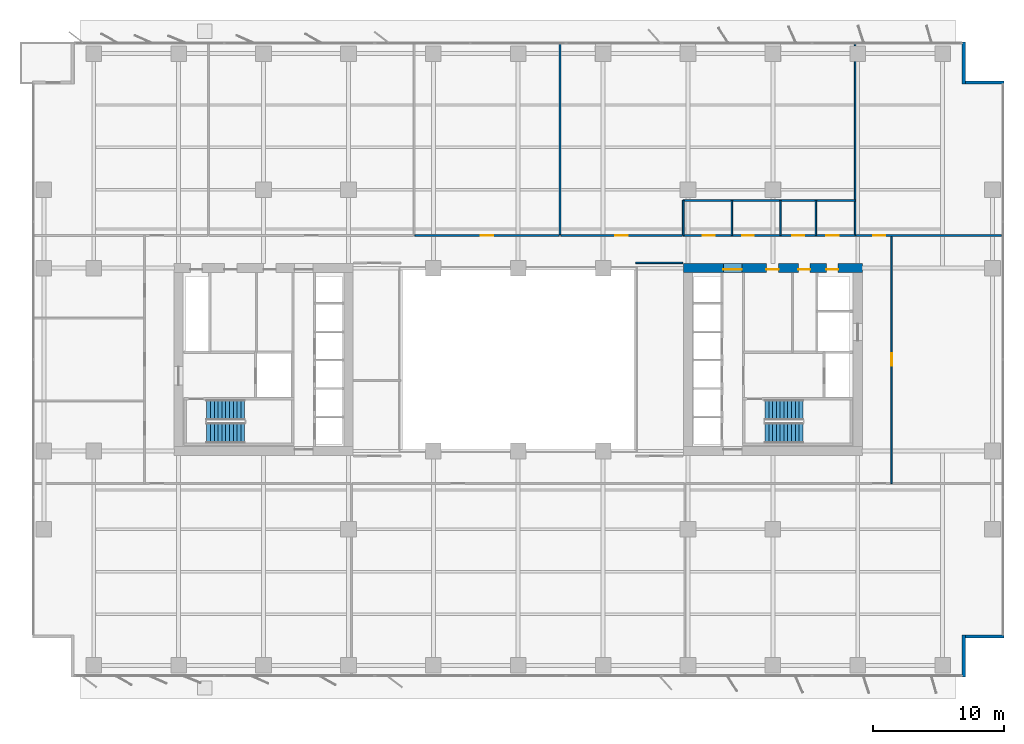
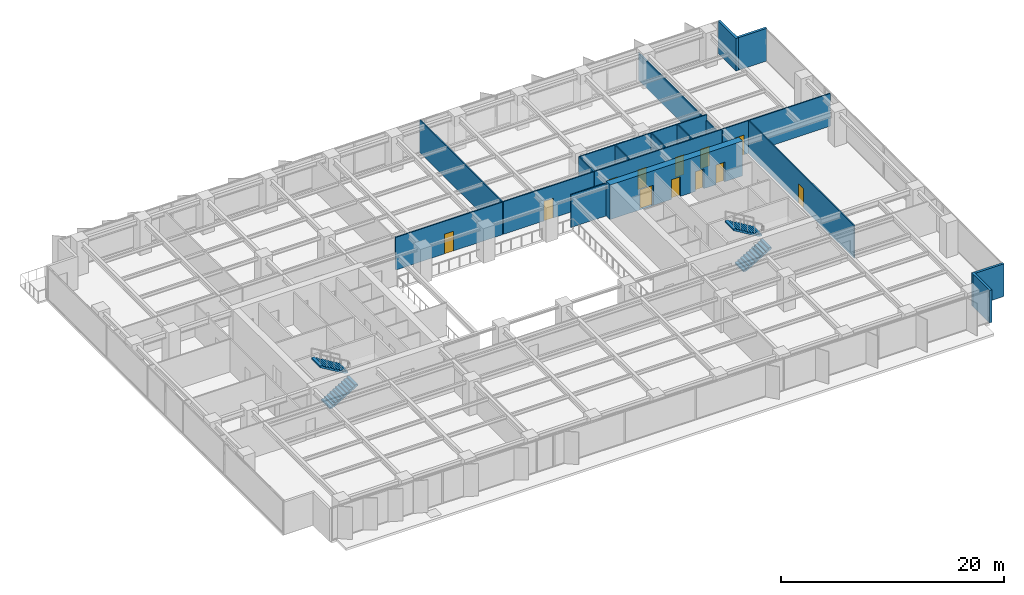
# One storey, part 15 of 19: 18 walls, 12 doors, 4 stair flights, 12 openings, 2 elements without a shape of their own.
"""IFC4 building model written with IfcOpenShell, lengths in metres."""

from ifc_helpers import new_model, si_unit, direction, frame, frame_2d, origin, place, context, subcontext, project, spatial, polyline, rectangle, outline, extrude, material, layer, layer_set, type_object, element, fill, aggregate, save


model = new_model("IFC4")

# Units and contexts
model_context = context("Model", 3, precision=1e-05, world=origin(), true_north=direction((0.0, 1.0)))
body_context = subcontext(model_context, "Body", "Model", "MODEL_VIEW")
ifc_project = project(units=[si_unit("LENGTHUNIT", "METRE"), si_unit("AREAUNIT", "SQUARE_METRE"), si_unit("VOLUMEUNIT", "CUBIC_METRE"), si_unit("PLANEANGLEUNIT", "RADIAN"), si_unit("MASSUNIT", "GRAM", prefix="KILO")], contexts=[model_context])

# Site, building, storey
site_placement = place(None, origin())
site = spatial("IfcSite", under=ifc_project, at=site_placement, CompositionType="ELEMENT")
building_placement = place(site_placement, origin())
building = spatial("IfcBuilding", under=site, at=building_placement, Name="Putna Gate Headquarters", CompositionType="ELEMENT")
storey_placement = place(building_placement, frame((0.0, 0.0, 86.0)))
storey = spatial("IfcBuildingStorey", under=building, at=storey_placement, Name="L20", CompositionType="ELEMENT", Elevation=86.0)

# Wall, openings, doors
ifc_material_1 = material(Name="Concrete C60/75", Category="concrete")
ifc_layer_1 = layer(ifc_material_1, 0.699951171875)
ifc_layer_set_1 = layer_set([ifc_layer_1], Name="Concrete C60/75")
wall_type_1 = type_object("IfcWallType", Name="WALL-CORE-700", PredefinedType="SHEAR", material=ifc_layer_set_1)
wall_1_placement = place(storey_placement, frame((51.64990234375, 33.0, 0.0), z_axis=(0.0, 0.0, 1.0), x_axis=(1.0, 0.0, 0.0)))
wall_1 = element("IfcWall", 1, at=wall_1_placement, inside=storey, type_object=wall_type_1, Name="L20 EC Split Core Shear Wall N", PredefinedType="SHEAR", context=body_context, shape_type="SweptSolid", body=[
    extrude(rectangle(XDim=13.7001953125, YDim=0.699951171875, at=frame_2d((6.85009765625, 0.0))), origin(), (0.0, 0.0, 1.0), 3.800048828125),
])
opening_1_placement = place(wall_1_placement, frame((3.070068359375, 0.0, 0.0)))
opening_1 = element("IfcOpeningElement", 2, at=opening_1_placement, cuts=wall_1, Name="Opening FDD-140", PredefinedType="OPENING", context=body_context, shape_type="SweptSolid", body=[
    extrude(rectangle(XDim=1.39990234375, YDim=2.199951171875, at=frame_2d((0.699951171875, 1.10009765625))), frame((0.0, 0.35986328125, 0.0), z_axis=(0.0, -1.0, 0.0), x_axis=(1.0, 0.0, 0.0)), (0.0, 0.0, 1.0), 0.719970703125),
])
opening_2_placement = place(wall_1_placement, frame((10.949951171875, 0.0, 0.0)))
opening_2 = element("IfcOpeningElement", 3, at=opening_2_placement, cuts=wall_1, Name="Opening RD-90", PredefinedType="OPENING", context=body_context, shape_type="SweptSolid", body=[
    extrude(rectangle(XDim=0.89990234375, YDim=2.14990234375, at=frame_2d((0.449951171875, 1.074951171875))), frame((0.0, 0.35986328125, 0.0), z_axis=(0.0, -1.0, 0.0), x_axis=(1.0, 0.0, 0.0)), (0.0, 0.0, 1.0), 0.719970703125),
])
opening_3_placement = place(wall_1_placement, frame((6.35009765625, 0.0, 0.0)))
opening_3 = element("IfcOpeningElement", 4, at=opening_3_placement, cuts=wall_1, Name="Opening IDS-95", PredefinedType="OPENING", context=body_context, shape_type="SweptSolid", body=[
    extrude(rectangle(XDim=0.949951171875, YDim=2.14990234375, at=frame_2d((0.47509765625, 1.074951171875))), frame((0.0, 0.35986328125, 0.0), z_axis=(0.0, -1.0, 0.0), x_axis=(1.0, 0.0, 0.0)), (0.0, 0.0, 1.0), 0.719970703125),
])
opening_4_placement = place(wall_1_placement, frame((8.800048828125, 0.0, 0.0)))
opening_4 = element("IfcOpeningElement", 5, at=opening_4_placement, cuts=wall_1, Name="Opening IDS-90", PredefinedType="OPENING", context=body_context, shape_type="SweptSolid", body=[
    extrude(rectangle(XDim=0.89990234375, YDim=2.14990234375, at=frame_2d((0.449951171875, 1.074951171875))), frame((0.0, 0.35986328125, 0.0), z_axis=(0.0, -1.0, 0.0), x_axis=(1.0, 0.0, 0.0)), (0.0, 0.0, 1.0), 0.719970703125),
])
ifc_material_2 = material(Name="Double steel fire door", Category="steel")
door_type_1 = type_object("IfcDoorType", Name="DOOR-FIRE-DBL-1400", OperationType="DOUBLE_DOOR_SINGLE_SWING", PredefinedType="DOOR", material=ifc_material_2)
door_1_placement = place(opening_1_placement, origin())
door_1 = element("IfcDoor", 6, at=door_1_placement, inside=storey, type_object=door_type_1, Name="L20 East Lift Lobby North Door", OperationType="DOUBLE_DOOR_SINGLE_SWING", OverallHeight=2.199951171875, OverallWidth=1.39990234375, PredefinedType="DOOR", context=body_context, shape_type="SweptSolid", body=[
    extrude(rectangle(XDim=1.39990234375, YDim=2.199951171875, at=frame_2d((0.699951171875, 1.10009765625))), frame((0.0, -0.0751953125, 0.0), z_axis=(0.0, -1.0, 0.0), x_axis=(1.0, 0.0, 0.0)), (0.0, 0.0, 1.0), 0.050048828125),
])
fill(opening_1, door_1)
ifc_material_3 = material(Name="Fire-rated utility door")
door_type_2 = type_object("IfcDoorType", Name="DOOR-INT-900", OperationType="NOTDEFINED", PredefinedType="DOOR", material=ifc_material_3)
door_2_placement = place(opening_4_placement, origin())
door_2 = element("IfcDoor", 7, at=door_2_placement, inside=storey, type_object=door_type_2, Name="L20 Electrical Plant Door", OperationType="SINGLE_SWING_LEFT", OverallHeight=2.14990234375, OverallWidth=0.89990234375, PredefinedType="DOOR", context=body_context, shape_type="SweptSolid", body=[
    extrude(rectangle(XDim=0.89990234375, YDim=2.14990234375, at=frame_2d((0.449951171875, 1.074951171875))), frame((0.0, -0.0751953125, 0.0), z_axis=(0.0, -1.0, 0.0), x_axis=(1.0, 0.0, 0.0)), (0.0, 0.0, 1.0), 0.050048828125),
])
fill(opening_4, door_2)
ifc_material_4 = material(Name="Fire-rated service timber door", Category="wood")
door_type_3 = type_object("IfcDoorType", Name="DOOR-INT-950", OperationType="NOTDEFINED", PredefinedType="DOOR", material=ifc_material_4)
door_3_placement = place(opening_3_placement, origin())
door_3 = element("IfcDoor", 8, at=door_3_placement, inside=storey, type_object=door_type_3, Name="L20 East Store Door", OperationType="SINGLE_SWING_RIGHT", OverallHeight=2.14990234375, OverallWidth=0.949951171875, PredefinedType="DOOR", context=body_context, shape_type="SweptSolid", body=[
    extrude(rectangle(XDim=0.949951171875, YDim=2.14990234375, at=frame_2d((0.47509765625, 1.074951171875))), frame((0.0, -0.0751953125, 0.0), z_axis=(0.0, -1.0, 0.0), x_axis=(1.0, 0.0, 0.0)), (0.0, 0.0, 1.0), 0.050048828125),
])
fill(opening_3, door_3)
ifc_material_5 = material(Name="Steel riser access fire door", Category="steel")
door_type_4 = type_object("IfcDoorType", Name="DOOR-RISER-900", OperationType="NOTDEFINED", PredefinedType="DOOR", material=ifc_material_5)
door_4_placement = place(opening_2_placement, origin())
door_4 = element("IfcDoor", 9, at=door_4_placement, inside=storey, type_object=door_type_4, Name="L20 East Riser Access Door", OperationType="SINGLE_SWING_LEFT", OverallHeight=2.14990234375, OverallWidth=0.89990234375, PredefinedType="DOOR", context=body_context, shape_type="SweptSolid", body=[
    extrude(rectangle(XDim=0.89990234375, YDim=2.14990234375, at=frame_2d((0.449951171875, 1.074951171875))), frame((0.0, -0.0751953125, 0.0), z_axis=(0.0, -1.0, 0.0), x_axis=(1.0, 0.0, 0.0)), (0.0, 0.0, 1.0), 0.050048828125),
])
fill(opening_2, door_4)

# Walls
ifc_material_6 = material(Name="Precast concrete C40/50", Category="concrete")
ifc_layer_2 = layer(ifc_material_6, 0.239990234375)
ifc_layer_set_2 = layer_set([ifc_layer_2], Name="Precast concrete C40/50")
wall_type_2 = type_object("IfcWallType", Name="WALL-EXT-TERR-240", PredefinedType="STANDARD", material=ifc_layer_set_2)
for number, where, z_axis, x_axis, name in (
    (10, (73.1201171875, 50.300048828125, 0.0), (0.0, 0.0, 1.0), (0.0, -1.0, 0.0), "L20 Corner Notch Return Wall NE-V"),
    (11, (73.0, 47.219970703125, 0.0), (0.0, 0.0, 1.0), (1.0, 0.0, 0.0), "L20 Corner Notch Return Wall NE-H"),
    (12, (73.1201171875, 4.89990234375, 0.0), (0.0, 0.0, 1.0), (0.0, -1.0, 0.0), "L20 Corner Notch Return Wall SE-V"),
    (13, (76.199951171875, 4.780029296875, 0.0), (0.0, 0.0, 1.0), (-1.0, 0.0, 0.0), "L20 Corner Notch Return Wall SE-H"),
):
    element("IfcWall", number, at=place(storey_placement, frame(where, z_axis=z_axis, x_axis=x_axis)), inside=storey, type_object=wall_type_2, Name=name, PredefinedType="STANDARD", context=body_context, shape_type="SweptSolid", body=[
        extrude(rectangle(XDim=3.199951171875, YDim=0.239990234375, at=frame_2d((1.60009765625, 0.0))), origin(), (0.0, 0.0, 1.0), 3.56494140625),
    ])
ifc_material_7 = material(Name="Acoustic gypsum board on metal stud")
ifc_layer_3 = layer(ifc_material_7, 0.1201171875)
ifc_layer_set_3 = layer_set([ifc_layer_3], Name="Acoustic gypsum board on metal stud")
wall_type_3 = type_object("IfcWallType", Name="WALL-PART-120", PredefinedType="PARTITIONING", material=ifc_layer_set_3)
wall_2_placement = place(storey_placement, frame((48.0, 33.39990234375, 0.0), z_axis=(0.0, 0.0, 1.0), x_axis=(1.0, 0.0, 0.0)))
element("IfcWall", 14, at=wall_2_placement, inside=storey, type_object=wall_type_3, Name="L20 Interior Wall PART-L20-ATR-E-N", PredefinedType="PARTITIONING", context=body_context, shape_type="SweptSolid", body=[
    extrude(rectangle(XDim=3.60009765625, YDim=0.1201171875, at=frame_2d((1.800048828125, 0.0))), origin(), (0.0, 0.0, 1.0), 3.56494140625),
])
wall_3_placement = place(storey_placement, frame((42.199951171875, 35.56005859375, 0.0), z_axis=(0.0, 0.0, 1.0), x_axis=(0.0, 1.0, 0.0)))
element("IfcWall", 15, at=wall_3_placement, inside=storey, type_object=wall_type_3, Name="L20 Interior Wall PART-L20-NB-DIV-03", PredefinedType="PARTITIONING", context=body_context, shape_type="SweptSolid", body=[
    extrude(rectangle(XDim=14.719970703125, YDim=0.1201171875, at=frame_2d((7.35986328125, 0.0))), origin(), (0.0, 0.0, 1.0), 3.56494140625),
])
wall_4_placement = place(storey_placement, frame((64.800048828125, 35.56005859375, 0.0), z_axis=(0.0, 0.0, 1.0), x_axis=(0.0, 1.0, 0.0)))
element("IfcWall", 16, at=wall_4_placement, inside=storey, type_object=wall_type_3, Name="L20 Interior Wall PART-L20-NB-DIV-04", PredefinedType="PARTITIONING", context=body_context, shape_type="SweptSolid", body=[
    extrude(rectangle(XDim=14.719970703125, YDim=0.1201171875, at=frame_2d((7.35986328125, 0.0))), origin(), (0.0, 0.0, 1.0), 2.965087890625),
])

# Wall, openings, doors
ifc_material_8 = material(Name="Fire-rated gypsum board on metal stud")
ifc_layer_4 = layer(ifc_material_8, 0.1201171875)
ifc_layer_set_4 = layer_set([ifc_layer_4], Name="Fire-rated gypsum board on metal stud")
wall_type_4 = type_object("IfcWallType", Name="WALL-PART-120-RATED", PredefinedType="PARTITIONING", material=ifc_layer_set_4)
wall_5_placement = place(storey_placement, frame((51.639892578125, 35.5, 0.0), z_axis=(0.0, 0.0, 1.0), x_axis=(1.0, 0.0, 0.0)))
wall_5 = element("IfcWall", 17, at=wall_5_placement, inside=storey, type_object=wall_type_4, Name="L20 Interior Wall PART-L20-SAN-CW", PredefinedType="PARTITIONING", context=body_context, shape_type="SweptSolid", body=[
    extrude(rectangle(XDim=13.16015625, YDim=0.1201171875, at=frame_2d((6.580078125, 0.0))), origin(), (0.0, 0.0, 1.0), 3.56494140625),
])
opening_5_placement = place(wall_5_placement, frame((1.510009765625, 0.0, 0.0)))
opening_5 = element("IfcOpeningElement", 18, at=opening_5_placement, cuts=wall_5, Name="Opening FD-90", PredefinedType="OPENING", context=body_context, shape_type="SweptSolid", body=[
    extrude(rectangle(XDim=0.89990234375, YDim=2.14990234375, at=frame_2d((0.449951171875, 1.074951171875))), frame((0.0, 0.070068359375, 0.0), z_axis=(0.0, -1.0, 0.0), x_axis=(1.0, 0.0, 0.0)), (0.0, 0.0, 1.0), 0.14013671875),
])
opening_6_placement = place(wall_5_placement, frame((4.510009765625, 0.0, 0.0)))
opening_6 = element("IfcOpeningElement", 19, at=opening_6_placement, cuts=wall_5, Name="Opening FD-90", PredefinedType="OPENING", context=body_context, shape_type="SweptSolid", body=[
    extrude(rectangle(XDim=0.89990234375, YDim=2.14990234375, at=frame_2d((0.449951171875, 1.074951171875))), frame((0.0, 0.070068359375, 0.0), z_axis=(0.0, -1.0, 0.0), x_axis=(1.0, 0.0, 0.0)), (0.0, 0.0, 1.0), 0.14013671875),
])
opening_7_placement = place(wall_5_placement, frame((8.360107421875, 0.0, 0.0)))
opening_7 = element("IfcOpeningElement", 20, at=opening_7_placement, cuts=wall_5, Name="Opening FD-90", PredefinedType="OPENING", context=body_context, shape_type="SweptSolid", body=[
    extrude(rectangle(XDim=0.89990234375, YDim=2.14990234375, at=frame_2d((0.449951171875, 1.074951171875))), frame((0.0, 0.070068359375, 0.0), z_axis=(0.0, -1.0, 0.0), x_axis=(1.0, 0.0, 0.0)), (0.0, 0.0, 1.0), 0.14013671875),
])
opening_8_placement = place(wall_5_placement, frame((10.9599609375, 0.0, 0.0)))
opening_8 = element("IfcOpeningElement", 21, at=opening_8_placement, cuts=wall_5, Name="Opening FD-95", PredefinedType="OPENING", context=body_context, shape_type="SweptSolid", body=[
    extrude(rectangle(XDim=0.949951171875, YDim=2.14990234375, at=frame_2d((0.47509765625, 1.074951171875))), frame((0.0, 0.070068359375, 0.0), z_axis=(0.0, -1.0, 0.0), x_axis=(1.0, 0.0, 0.0)), (0.0, 0.0, 1.0), 0.14013671875),
])
ifc_material_9 = material(Name="Acoustic washroom fire door")
door_type_5 = type_object("IfcDoorType", Name="DOOR-FIRE-900", OperationType="NOTDEFINED", PredefinedType="DOOR", material=ifc_material_9)
door_5_placement = place(opening_5_placement, origin())
door_5 = element("IfcDoor", 22, at=door_5_placement, inside=storey, type_object=door_type_5, Name="L20 Washroom Male Door", OperationType="SINGLE_SWING_RIGHT", OverallHeight=2.14990234375, OverallWidth=0.89990234375, PredefinedType="DOOR", context=body_context, shape_type="SweptSolid", body=[
    extrude(rectangle(XDim=0.89990234375, YDim=2.14990234375, at=frame_2d((0.449951171875, 1.074951171875))), frame((0.0, 0.02490234375, 0.0), z_axis=(0.0, -1.0, 0.0), x_axis=(1.0, 0.0, 0.0)), (0.0, 0.0, 1.0), 0.050048828125),
])
fill(opening_5, door_5)
door_6_placement = place(opening_6_placement, origin())
door_6 = element("IfcDoor", 23, at=door_6_placement, inside=storey, type_object=door_type_5, Name="L20 Washroom Female Door", OperationType="SINGLE_SWING_LEFT", OverallHeight=2.14990234375, OverallWidth=0.89990234375, PredefinedType="DOOR", context=body_context, shape_type="SweptSolid", body=[
    extrude(rectangle(XDim=0.89990234375, YDim=2.14990234375, at=frame_2d((0.449951171875, 1.074951171875))), frame((0.0, 0.02490234375, 0.0), z_axis=(0.0, -1.0, 0.0), x_axis=(1.0, 0.0, 0.0)), (0.0, 0.0, 1.0), 0.050048828125),
])
fill(opening_6, door_6)
door_7_placement = place(opening_7_placement, origin())
door_7 = element("IfcDoor", 24, at=door_7_placement, inside=storey, type_object=door_type_5, Name="L20 Accessible WC Door", OperationType="SINGLE_SWING_RIGHT", OverallHeight=2.14990234375, OverallWidth=0.89990234375, PredefinedType="DOOR", context=body_context, shape_type="SweptSolid", body=[
    extrude(rectangle(XDim=0.89990234375, YDim=2.14990234375, at=frame_2d((0.449951171875, 1.074951171875))), frame((0.0, 0.02490234375, 0.0), z_axis=(0.0, -1.0, 0.0), x_axis=(1.0, 0.0, 0.0)), (0.0, 0.0, 1.0), 0.050048828125),
])
fill(opening_7, door_7)
ifc_material_10 = material(Name="Acoustic timber fire door", Category="wood")
door_type_6 = type_object("IfcDoorType", Name="DOOR-FIRE-950", OperationType="NOTDEFINED", PredefinedType="DOOR", material=ifc_material_10)
door_8_placement = place(opening_8_placement, origin())
door_8 = element("IfcDoor", 25, at=door_8_placement, inside=storey, type_object=door_type_6, Name="L20 Staff Pantry and Tea Point Door", OperationType="SINGLE_SWING_LEFT", OverallHeight=2.14990234375, OverallWidth=0.949951171875, PredefinedType="DOOR", context=body_context, shape_type="SweptSolid", body=[
    extrude(rectangle(XDim=0.949951171875, YDim=2.14990234375, at=frame_2d((0.47509765625, 1.074951171875))), frame((0.0, 0.02490234375, 0.0), z_axis=(0.0, -1.0, 0.0), x_axis=(1.0, 0.0, 0.0)), (0.0, 0.0, 1.0), 0.050048828125),
])
fill(opening_8, door_8)

# Walls
wall_6_placement = place(storey_placement, frame((51.639892578125, 38.179931640625, 0.0), z_axis=(0.0, 0.0, 1.0), x_axis=(1.0, 0.0, 0.0)))
element("IfcWall", 26, at=wall_6_placement, inside=storey, type_object=wall_type_4, Name="L20 Interior Wall PART-L20-SAN-BACK", PredefinedType="PARTITIONING", context=body_context, shape_type="SweptSolid", body=[
    extrude(rectangle(XDim=13.16015625, YDim=0.1201171875, at=frame_2d((6.580078125, 0.0))), origin(), (0.0, 0.0, 1.0), 3.56494140625),
])
for number, where, z_axis, x_axis, name in (
    (27, (51.639892578125, 35.5, 0.0), (0.0, 0.0, 1.0), (0.0, 1.0, 0.0), "L20 Interior Wall PART-L20-SAN-DIV-1"),
    (28, (55.360107421875, 35.5, 0.0), (0.0, 0.0, 1.0), (0.0, 1.0, 0.0), "L20 Interior Wall PART-L20-SAN-DIV-2"),
    (29, (59.080078125, 35.5, 0.0), (0.0, 0.0, 1.0), (0.0, 1.0, 0.0), "L20 Interior Wall PART-L20-SAN-DIV-3"),
    (30, (61.800048828125, 35.5, 0.0), (0.0, 0.0, 1.0), (0.0, 1.0, 0.0), "L20 Interior Wall PART-L20-SAN-DIV-4"),
):
    element("IfcWall", number, at=place(storey_placement, frame(where, z_axis=z_axis, x_axis=x_axis)), inside=storey, type_object=wall_type_4, Name=name, PredefinedType="PARTITIONING", context=body_context, shape_type="SweptSolid", body=[
        extrude(rectangle(XDim=2.679931640625, YDim=0.1201171875, at=frame_2d((1.33984375, 0.0))), origin(), (0.0, 0.0, 1.0), 3.56494140625),
    ])

# Wall, opening, door
wall_7_placement = place(storey_placement, frame((31.096923828125, 35.5, 0.0), z_axis=(0.0, 0.0, 1.0), x_axis=(1.0, 0.0, 0.0)))
wall_7 = element("IfcWall", 31, at=wall_7_placement, inside=storey, type_object=wall_type_4, Name="L20 Interior Wall PART-L20-NB-CW-03", PredefinedType="PARTITIONING", context=body_context, shape_type="SweptSolid", body=[
    extrude(rectangle(XDim=11.04296875, YDim=0.1201171875, at=frame_2d((5.521484375, 0.0))), origin(), (0.0, 0.0, 1.0), 3.56494140625),
])
opening_9_placement = place(wall_7_placement, frame((5.04638671875, 0.0, 0.0)))
opening_9 = element("IfcOpeningElement", 32, at=opening_9_placement, cuts=wall_7, Name="Opening FD-95", PredefinedType="OPENING", context=body_context, shape_type="SweptSolid", body=[
    extrude(rectangle(XDim=0.949951171875, YDim=2.14990234375, at=frame_2d((0.47509765625, 1.074951171875))), frame((0.0, 0.070068359375, 0.0), z_axis=(0.0, -1.0, 0.0), x_axis=(1.0, 0.0, 0.0)), (0.0, 0.0, 1.0), 0.14013671875),
])
door_9_placement = place(opening_9_placement, origin())
door_9 = element("IfcDoor", 33, at=door_9_placement, inside=storey, type_object=door_type_6, Name="L20 Quiet Wellness Focus Studio 2 Door", OperationType="SINGLE_SWING_RIGHT", OverallHeight=2.14990234375, OverallWidth=0.949951171875, PredefinedType="DOOR", context=body_context, shape_type="SweptSolid", body=[
    extrude(rectangle(XDim=0.949951171875, YDim=2.14990234375, at=frame_2d((0.47509765625, 1.074951171875))), frame((0.0, 0.02490234375, 0.0), z_axis=(0.0, -1.0, 0.0), x_axis=(1.0, 0.0, 0.0)), (0.0, 0.0, 1.0), 0.050048828125),
])
fill(opening_9, door_9)

wall_8_placement = place(storey_placement, frame((42.260009765625, 35.5, 0.0), z_axis=(0.0, 0.0, 1.0), x_axis=(1.0, 0.0, 0.0)))
wall_8 = element("IfcWall", 34, at=wall_8_placement, inside=storey, type_object=wall_type_4, Name="L20 Interior Wall PART-L20-NB-CW-04", PredefinedType="PARTITIONING", context=body_context, shape_type="SweptSolid", body=[
    extrude(rectangle(XDim=9.320068359375, YDim=0.1201171875, at=frame_2d((4.66015625, 0.0))), origin(), (0.0, 0.0, 1.0), 3.56494140625),
])
opening_10_placement = place(wall_8_placement, frame((4.18505859375, 0.0, 0.0)))
opening_10 = element("IfcOpeningElement", 35, at=opening_10_placement, cuts=wall_8, Name="Opening FD-95", PredefinedType="OPENING", context=body_context, shape_type="SweptSolid", body=[
    extrude(rectangle(XDim=0.949951171875, YDim=2.14990234375, at=frame_2d((0.47509765625, 1.074951171875))), frame((0.0, 0.070068359375, 0.0), z_axis=(0.0, -1.0, 0.0), x_axis=(1.0, 0.0, 0.0)), (0.0, 0.0, 1.0), 0.14013671875),
])
door_10_placement = place(opening_10_placement, origin())
door_10 = element("IfcDoor", 36, at=door_10_placement, inside=storey, type_object=door_type_6, Name="L20 Primary Open Office Workplace Door", OperationType="SINGLE_SWING_LEFT", OverallHeight=2.14990234375, OverallWidth=0.949951171875, PredefinedType="DOOR", context=body_context, shape_type="SweptSolid", body=[
    extrude(rectangle(XDim=0.949951171875, YDim=2.14990234375, at=frame_2d((0.47509765625, 1.074951171875))), frame((0.0, 0.02490234375, 0.0), z_axis=(0.0, -1.0, 0.0), x_axis=(1.0, 0.0, 0.0)), (0.0, 0.0, 1.0), 0.050048828125),
])
fill(opening_10, door_10)

wall_9_placement = place(storey_placement, frame((64.860107421875, 35.5, 0.0), z_axis=(0.0, 0.0, 1.0), x_axis=(1.0, 0.0, 0.0)))
wall_9 = element("IfcWall", 37, at=wall_9_placement, inside=storey, type_object=wall_type_4, Name="L20 Interior Wall PART-L20-NB-CW-05", PredefinedType="PARTITIONING", context=body_context, shape_type="SweptSolid", body=[
    extrude(rectangle(XDim=11.159912109375, YDim=0.1201171875, at=frame_2d((5.580078125, 0.0))), origin(), (0.0, 0.0, 1.0), 3.56494140625),
])
opening_11_placement = place(wall_9_placement, frame((1.31005859375, 0.0, 0.0)))
opening_11 = element("IfcOpeningElement", 38, at=opening_11_placement, cuts=wall_9, Name="Opening FD-95", PredefinedType="OPENING", context=body_context, shape_type="SweptSolid", body=[
    extrude(rectangle(XDim=0.949951171875, YDim=2.14990234375, at=frame_2d((0.47509765625, 1.074951171875))), frame((0.0, 0.070068359375, 0.0), z_axis=(0.0, -1.0, 0.0), x_axis=(1.0, 0.0, 0.0)), (0.0, 0.0, 1.0), 0.14013671875),
])
door_11_placement = place(opening_11_placement, origin())
door_11 = element("IfcDoor", 39, at=door_11_placement, inside=storey, type_object=door_type_6, Name="L20 Collaborative Breakout Lounge 1 Door", OperationType="SINGLE_SWING_RIGHT", OverallHeight=2.14990234375, OverallWidth=0.949951171875, PredefinedType="DOOR", context=body_context, shape_type="SweptSolid", body=[
    extrude(rectangle(XDim=0.949951171875, YDim=2.14990234375, at=frame_2d((0.47509765625, 1.074951171875))), frame((0.0, 0.02490234375, 0.0), z_axis=(0.0, -1.0, 0.0), x_axis=(1.0, 0.0, 0.0)), (0.0, 0.0, 1.0), 0.050048828125),
])
fill(opening_11, door_11)

wall_10_placement = place(storey_placement, frame((67.60009765625, 16.5, 0.0), z_axis=(0.0, 0.0, 1.0), x_axis=(0.0, 1.0, 0.0)))
wall_10 = element("IfcWall", 40, at=wall_10_placement, inside=storey, type_object=wall_type_4, Name="L20 Interior Wall PART-L20-EW-CW-1", PredefinedType="PARTITIONING", context=body_context, shape_type="SweptSolid", body=[
    extrude(rectangle(XDim=19.0, YDim=0.1201171875, at=frame_2d((9.5, 0.0))), origin(), (0.0, 0.0, 1.0), 3.56494140625),
])
opening_12_placement = place(wall_10_placement, frame((9.02490234375, 0.0, 0.0)))
opening_12 = element("IfcOpeningElement", 41, at=opening_12_placement, cuts=wall_10, Name="Opening FD-95", PredefinedType="OPENING", context=body_context, shape_type="SweptSolid", body=[
    extrude(rectangle(XDim=0.949951171875, YDim=2.14990234375, at=frame_2d((0.47509765625, 1.074951171875))), frame((0.0, 0.070068359375, 0.0), z_axis=(0.0, -1.0, 0.0), x_axis=(1.0, 0.0, 0.0)), (0.0, 0.0, 1.0), 0.14013671875),
])
door_12_placement = place(opening_12_placement, origin())
door_12 = element("IfcDoor", 42, at=door_12_placement, inside=storey, type_object=door_type_6, Name="L20 East Advisory Office 1 Door", OperationType="SINGLE_SWING_LEFT", OverallHeight=2.14990234375, OverallWidth=0.949951171875, PredefinedType="DOOR", context=body_context, shape_type="SweptSolid", body=[
    extrude(rectangle(XDim=0.949951171875, YDim=2.14990234375, at=frame_2d((0.47509765625, 1.074951171875))), frame((0.0, 0.02490234375, 0.0), z_axis=(0.0, -1.0, 0.0), x_axis=(1.0, 0.0, 0.0)), (0.0, 0.0, 1.0), 0.050048828125),
])
fill(opening_12, door_12)

# Stair, stair flights
ifc_material_11 = material(Name="Concrete C40/50", Category="concrete")
stair_type_1 = type_object("IfcStairType", Name="STAIR-ST1", PredefinedType="HALF_TURN_STAIR", material=ifc_material_11)
stair_1_placement = place(storey_placement, origin())
stair_1 = element("IfcStair", 43, at=stair_1_placement, inside=storey, type_object=stair_type_1, Name="L20 West Core Exit Stair ST1", PredefinedType="HALF_TURN_STAIR")
stair_flight_type_1 = type_object("IfcStairFlightType", Name="FLIGHT-ST1", PredefinedType="STRAIGHT", material=ifc_material_11)
stair_flight_1_placement = place(storey_placement, frame((15.14990234375, 20.375, 0.0), z_axis=(0.0, 0.0, 1.0), x_axis=(1.0, 0.0, 0.0)))
stair_flight_1 = element("IfcStairFlight", 44, at=stair_flight_1_placement, type_object=stair_flight_type_1, Name="ST1 flight 1", NumberOfRisers=11, NumberOfTreads=10, PredefinedType="STRAIGHT", RiserHeight=0.172727273, TreadLength=0.29, context=body_context, shape_type="SweptSolid", body=[
    extrude(outline(polyline([(0.0, 0.0), (0.0, 0.172607421875), (0.2900390625, 0.172607421875), (0.2900390625, 0.345458984375), (0.580078125, 0.345458984375), (0.580078125, 0.51806640625), (0.8701171875, 0.51806640625), (0.8701171875, 0.69091796875), (1.159912109375, 0.69091796875), (1.159912109375, 0.863525390625), (1.449951171875, 0.863525390625), (1.449951171875, 1.036376953125), (1.739990234375, 1.036376953125), (1.739990234375, 1.208984375), (2.030029296875, 1.208984375), (2.030029296875, 1.3818359375), (2.320068359375, 1.3818359375), (2.320068359375, 1.554443359375), (2.610107421875, 1.554443359375), (2.610107421875, 1.727294921875), (2.89990234375, 1.727294921875), (2.89990234375, 1.89990234375), (2.89990234375, 1.552734375), (0.29296875, 0.0), (0.0, 0.0)])), frame((0.0, 0.77490234375, 0.0), z_axis=(0.0, -1.0, 0.0), x_axis=(1.0, 0.0, 0.0)), (0.0, 0.0, 1.0), 1.550048828125),
])
stair_flight_2_placement = place(storey_placement, frame((18.050048828125, 22.125, 1.89990234375), z_axis=(0.0, 0.0, 1.0), x_axis=(-1.0, 0.0, 0.0)))
stair_flight_2 = element("IfcStairFlight", 45, at=stair_flight_2_placement, type_object=stair_flight_type_1, Name="ST1 flight 2", NumberOfRisers=11, NumberOfTreads=10, PredefinedType="STRAIGHT", RiserHeight=0.172727273, TreadLength=0.29, context=body_context, shape_type="SweptSolid", body=[
    extrude(outline(polyline([(0.0, 0.0), (0.0, 0.172607421875), (0.2900390625, 0.172607421875), (0.2900390625, 0.345458984375), (0.580078125, 0.345458984375), (0.580078125, 0.51806640625), (0.8701171875, 0.51806640625), (0.8701171875, 0.69091796875), (1.159912109375, 0.69091796875), (1.159912109375, 0.863525390625), (1.449951171875, 0.863525390625), (1.449951171875, 1.036376953125), (1.739990234375, 1.036376953125), (1.739990234375, 1.208984375), (2.030029296875, 1.208984375), (2.030029296875, 1.3818359375), (2.320068359375, 1.3818359375), (2.320068359375, 1.554443359375), (2.610107421875, 1.554443359375), (2.610107421875, 1.727294921875), (2.89990234375, 1.727294921875), (2.89990234375, 1.89990234375), (2.89990234375, 1.552734375), (0.29296875, 0.0), (0.0, 0.0)])), frame((0.0, 0.77490234375, 0.0), z_axis=(0.0, -1.0, 0.0), x_axis=(1.0, 0.0, 0.0)), (0.0, 0.0, 1.0), 1.550048828125),
])
aggregate(stair_1, [stair_flight_1, stair_flight_2])

stair_type_2 = type_object("IfcStairType", Name="STAIR-ST2", PredefinedType="HALF_TURN_STAIR", material=ifc_material_11)
stair_2_placement = place(storey_placement, origin())
stair_2 = element("IfcStair", 46, at=stair_2_placement, inside=storey, type_object=stair_type_2, Name="L20 East Core Exit Stair ST2", PredefinedType="HALF_TURN_STAIR")
stair_flight_type_2 = type_object("IfcStairFlightType", Name="FLIGHT-ST2", PredefinedType="STRAIGHT", material=ifc_material_11)
stair_flight_3_placement = place(storey_placement, frame((57.89990234375, 20.375, 0.0), z_axis=(0.0, 0.0, 1.0), x_axis=(1.0, 0.0, 0.0)))
stair_flight_3 = element("IfcStairFlight", 47, at=stair_flight_3_placement, type_object=stair_flight_type_2, Name="ST2 flight 1", NumberOfRisers=11, NumberOfTreads=10, PredefinedType="STRAIGHT", RiserHeight=0.172727273, TreadLength=0.29, context=body_context, shape_type="SweptSolid", body=[
    extrude(outline(polyline([(0.0, 0.0), (0.0, 0.172607421875), (0.2900390625, 0.172607421875), (0.2900390625, 0.345458984375), (0.580078125, 0.345458984375), (0.580078125, 0.51806640625), (0.8701171875, 0.51806640625), (0.8701171875, 0.69091796875), (1.159912109375, 0.69091796875), (1.159912109375, 0.863525390625), (1.449951171875, 0.863525390625), (1.449951171875, 1.036376953125), (1.739990234375, 1.036376953125), (1.739990234375, 1.208984375), (2.030029296875, 1.208984375), (2.030029296875, 1.3818359375), (2.320068359375, 1.3818359375), (2.320068359375, 1.554443359375), (2.610107421875, 1.554443359375), (2.610107421875, 1.727294921875), (2.89990234375, 1.727294921875), (2.89990234375, 1.89990234375), (2.89990234375, 1.552734375), (0.29296875, 0.0), (0.0, 0.0)])), frame((0.0, 0.77490234375, 0.0), z_axis=(0.0, -1.0, 0.0), x_axis=(1.0, 0.0, 0.0)), (0.0, 0.0, 1.0), 1.550048828125),
])
stair_flight_4_placement = place(storey_placement, frame((60.800048828125, 22.125, 1.89990234375), z_axis=(0.0, 0.0, 1.0), x_axis=(-1.0, 0.0, 0.0)))
stair_flight_4 = element("IfcStairFlight", 48, at=stair_flight_4_placement, type_object=stair_flight_type_2, Name="ST2 flight 2", NumberOfRisers=11, NumberOfTreads=10, PredefinedType="STRAIGHT", RiserHeight=0.172727273, TreadLength=0.29, context=body_context, shape_type="SweptSolid", body=[
    extrude(outline(polyline([(0.0, 0.0), (0.0, 0.172607421875), (0.2900390625, 0.172607421875), (0.2900390625, 0.345458984375), (0.580078125, 0.345458984375), (0.580078125, 0.51806640625), (0.8701171875, 0.51806640625), (0.8701171875, 0.69091796875), (1.159912109375, 0.69091796875), (1.159912109375, 0.863525390625), (1.449951171875, 0.863525390625), (1.449951171875, 1.036376953125), (1.739990234375, 1.036376953125), (1.739990234375, 1.208984375), (2.030029296875, 1.208984375), (2.030029296875, 1.3818359375), (2.320068359375, 1.3818359375), (2.320068359375, 1.554443359375), (2.610107421875, 1.554443359375), (2.610107421875, 1.727294921875), (2.89990234375, 1.727294921875), (2.89990234375, 1.89990234375), (2.89990234375, 1.552734375), (0.29296875, 0.0), (0.0, 0.0)])), frame((0.0, 0.77490234375, 0.0), z_axis=(0.0, -1.0, 0.0), x_axis=(1.0, 0.0, 0.0)), (0.0, 0.0, 1.0), 1.550048828125),
])
aggregate(stair_2, [stair_flight_3, stair_flight_4])

save(model, "model.ifc")
